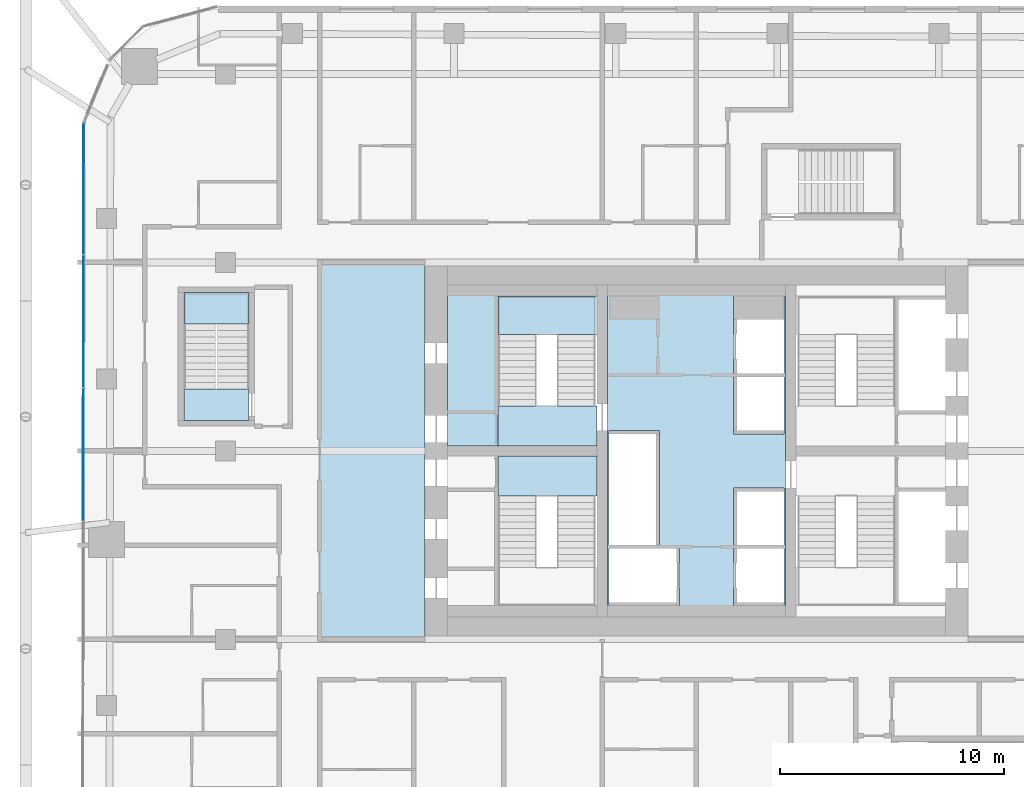
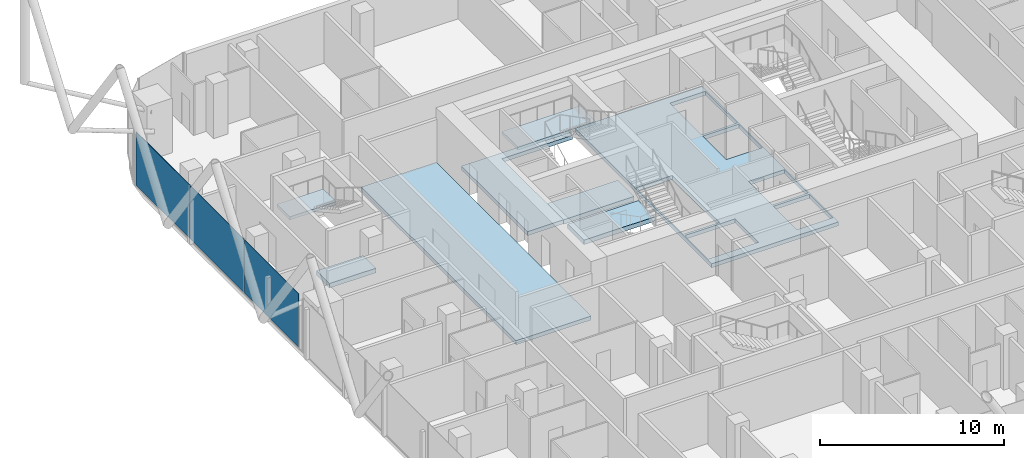
# One storey, part 24 of 36: 8 slabs, 3 plates, 3 elements without a shape of their own.
"""IFC4 building model written with IfcOpenShell, lengths in metres."""

from ifc_helpers import new_model, si_unit, direction, frame, origin, origin_2d, place, context, subcontext, project, spatial, polyline, rectangle, outline, extrude, material, layer, layer_set, type_object, element, aggregate, save


model = new_model("IFC4")

# Units and contexts
model_context = context("Model", 3, precision=1e-05, world=origin(), true_north=direction((0.0, 1.0)))
body_context = subcontext(model_context, "Body", "Model", "MODEL_VIEW")
ifc_project = project(units=[si_unit("LENGTHUNIT", "METRE"), si_unit("AREAUNIT", "SQUARE_METRE"), si_unit("VOLUMEUNIT", "CUBIC_METRE"), si_unit("PLANEANGLEUNIT", "RADIAN"), si_unit("MASSUNIT", "GRAM", prefix="KILO")], contexts=[model_context])

# Site, building, storey
site_placement = place(None, origin())
site = spatial("IfcSite", under=ifc_project, at=site_placement, CompositionType="ELEMENT")
building_placement = place(site_placement, origin())
building = spatial("IfcBuilding", under=site, at=building_placement, Name="Marenta Gate Hotel Tower", CompositionType="ELEMENT")
storey_placement = place(building_placement, frame((0.0, 0.0, 144.5)))
storey = spatial("IfcBuildingStorey", under=building, at=storey_placement, Name="L33", CompositionType="ELEMENT", Elevation=144.5)

# Slabs
ifc_material_1 = material(Name="Concrete C40", Category="concrete")
ifc_layer_1 = layer(ifc_material_1, 0.260009765625)
ifc_layer_set_1 = layer_set([ifc_layer_1], Name="Concrete C40")
slab_type_1 = type_object("IfcSlabType", Name="Core floor slab 260", PredefinedType="FLOOR", material=ifc_layer_set_1)
slab_1_placement = place(storey_placement, frame((0.0, 0.0, -0.260009765625)))
element("IfcSlab", 1, at=slab_1_placement, inside=storey, type_object=slab_type_1, Name="L33-CF-4", PredefinedType="FLOOR", context=body_context, shape_type="SweptSolid", body=[
    extrude(outline(polyline([(3.97509765625, 15.300048828125), (3.97509765625, 10.39990234375), (3.97509765625, 6.39990234375), (3.97509765625, 1.5), (3.97509765625, 1.0), (-3.97509765625, 1.0), (-3.97509765625, 1.5), (-3.97509765625, 6.39990234375), (-3.97509765625, 10.39990234375), (-3.97509765625, 15.300048828125), (-3.97509765625, 15.800048828125), (3.97509765625, 15.800048828125), (3.97509765625, 15.300048828125)]), holes=[polyline([(1.64990234375, 1.5), (3.89990234375, 1.5), (3.89990234375, 1.64990234375), (3.89990234375, 4.050048828125), (1.800048828125, 4.050048828125), (1.64990234375, 4.050048828125), (1.64990234375, 1.64990234375), (1.64990234375, 1.5)]), polyline([(1.64990234375, 6.60009765625), (1.64990234375, 4.199951171875), (1.800048828125, 4.199951171875), (3.89990234375, 4.199951171875), (3.89990234375, 6.60009765625), (3.89990234375, 6.75), (1.64990234375, 6.75), (1.64990234375, 6.60009765625)]), polyline([(1.64990234375, 9.14990234375), (3.89990234375, 9.14990234375), (3.89990234375, 9.300048828125), (3.89990234375, 11.699951171875), (1.800048828125, 11.699951171875), (1.64990234375, 11.699951171875), (1.64990234375, 9.300048828125), (1.64990234375, 9.14990234375)]), polyline([(1.64990234375, 15.300048828125), (1.64990234375, 14.25), (1.64990234375, 11.85009765625), (1.800048828125, 11.85009765625), (3.89990234375, 11.85009765625), (3.89990234375, 14.25), (3.89990234375, 15.300048828125), (1.64990234375, 15.300048828125)]), polyline([(-3.89990234375, 4.050048828125), (-3.89990234375, 1.64990234375), (-3.89990234375, 1.5), (-0.89990234375, 1.5), (-0.75, 1.5), (-0.75, 4.050048828125), (-0.89990234375, 4.050048828125), (-3.89990234375, 4.050048828125)]), polyline([(-1.800048828125, 4.199951171875), (-1.64990234375, 4.199951171875), (-1.64990234375, 9.14990234375), (-1.64990234375, 9.300048828125), (-3.89990234375, 9.300048828125), (-3.89990234375, 9.14990234375), (-3.89990234375, 6.75), (-3.89990234375, 6.60009765625), (-3.89990234375, 4.199951171875), (-1.800048828125, 4.199951171875)])]), origin(), (0.0, 0.0, 1.0), 0.260009765625),
])
slab_2_placement = place(storey_placement, frame((0.0, 0.0, -0.260009765625)))
element("IfcSlab", 2, at=slab_2_placement, inside=storey, type_object=slab_type_1, Name="L33-CF-6", PredefinedType="FLOOR", context=body_context, shape_type="SweptSolid", body=[
    extrude(outline(polyline([(-4.425048828125, 15.300048828125), (-8.85009765625, 15.300048828125), (-8.85009765625, 10.39990234375), (-8.85009765625, 8.699951171875), (-8.85009765625, 8.625), (-11.10009765625, 8.625), (-11.10009765625, 15.800048828125), (-4.425048828125, 15.800048828125), (-4.425048828125, 15.300048828125)])), origin(), (0.0, 0.0, 1.0), 0.260009765625),
])
slab_3_placement = place(storey_placement, frame((0.0, 0.0, -0.260009765625)))
element("IfcSlab", 3, at=slab_3_placement, inside=storey, type_object=slab_type_1, Name="L33-CF-7", PredefinedType="FLOOR", context=body_context, shape_type="SweptSolid", body=[
    extrude(outline(polyline([(-12.10009765625, 16.800048828125), (-12.10009765625, 0.0), (-16.800048828125, 0.0), (-16.800048828125, 16.800048828125), (-12.10009765625, 16.800048828125)])), origin(), (0.0, 0.0, 1.0), 0.260009765625),
])

# Stair, slab
ifc_material_2 = material(Name="Concrete C40", Category="concrete")
stair_type_1 = type_object("IfcStairType", Name="Core exit stair 1700 wide", PredefinedType="HALF_TURN_STAIR", material=ifc_material_2)
stair_1_placement = place(storey_placement, origin())
stair_1 = element("IfcStair", 4, at=stair_1_placement, inside=storey, type_object=stair_type_1, Name="Exit stair 2", PredefinedType="HALF_TURN_STAIR")
ifc_material_3 = material(Name="Concrete C40", Category="concrete")
ifc_layer_2 = layer(ifc_material_3, 0.199951171875)
ifc_layer_set_2 = layer_set([ifc_layer_2], Name="Concrete C40")
slab_type_2 = type_object("IfcSlabType", Name="Core stair landing 200", PredefinedType="LANDING", material=ifc_layer_set_2)
slab_4_placement = place(storey_placement, frame((0.0, 0.0, 1.60009765625)))
slab_4 = element("IfcSlab", 5, at=slab_4_placement, type_object=slab_type_2, Name="SL-200 ST2 landing 1", PredefinedType="LANDING", context=body_context, shape_type="SweptSolid", body=[
    extrude(outline(polyline([(-8.85009765625, 13.590087890625), (-3.97509765625, 13.590087890625), (-3.97509765625, 15.300048828125), (-8.85009765625, 15.300048828125), (-8.85009765625, 13.590087890625)])), origin(), (0.0, 0.0, 1.0), 0.199951171875),
])
aggregate(stair_1, [slab_4])

# Curtain wall, plates
ifc_material_4 = material(Name="Tinted insulated glass in bronze anodised frame", Category="glass")
ifc_layer_3 = layer(ifc_material_4, 0.1201171875)
ifc_layer_set_3 = layer_set([ifc_layer_3], Name="Tinted insulated glass in bronze anodised frame")
curtain_wall_type = type_object("IfcCurtainWallType", Name="Tower unitised curtain wall CW1", PredefinedType="NOTDEFINED", material=ifc_layer_set_3)
curtain_wall_placement = place(storey_placement, origin())
curtain_wall = element("IfcCurtainWall", 6, at=curtain_wall_placement, inside=storey, type_object=curtain_wall_type, Name="CW1 run G06", PredefinedType="NOTDEFINED")
ifc_material_5 = material(Name="Tinted insulated glass", Category="glass")
ifc_layer_4 = layer(ifc_material_5, 0.028076171875)
ifc_layer_set_4 = layer_set([ifc_layer_4], Name="Tinted insulated glass")
plate_type = type_object("IfcPlateType", Name="Glass panel CW1 28 mm tinted insulated unit", PredefinedType="CURTAIN_PANEL", material=ifc_layer_set_4)
plate_1_placement = place(storey_placement, frame((-27.31689453125, 20.0888671875, 0.06005859375), z_axis=(0.0, 0.0, 1.0), x_axis=(-0.001569680138, -0.999998768051, 0.0)))
plate_1 = element("IfcPlate", 7, at=plate_1_placement, type_object=plate_type, Name="CW1 panel 1.1", PredefinedType="CURTAIN_PANEL", context=body_context, shape_type="SweptSolid", body=[
    extrude(rectangle(XDim=5.834716796875, YDim=0.028076171875, at=origin_2d()), origin(), (0.0, 0.0, 1.0), 3.5400390625),
])
plate_2_placement = place(storey_placement, frame((-27.326171875, 14.178955078125, 0.06005859375), z_axis=(0.0, 0.0, 1.0), x_axis=(-0.001569680138, -0.999998768051, 0.0)))
plate_2 = element("IfcPlate", 8, at=plate_2_placement, type_object=plate_type, Name="CW1 panel 2.1", PredefinedType="CURTAIN_PANEL", context=body_context, shape_type="SweptSolid", body=[
    extrude(rectangle(XDim=5.86474609375, YDim=0.028076171875, at=origin_2d()), origin(), (0.0, 0.0, 1.0), 3.5400390625),
])
plate_3_placement = place(storey_placement, frame((-27.335693359375, 8.2392578125, 0.06005859375), z_axis=(0.0, 0.0, 1.0), x_axis=(-0.001569680138, -0.999998768051, 0.0)))
plate_3 = element("IfcPlate", 9, at=plate_3_placement, type_object=plate_type, Name="CW1 panel 3.1", PredefinedType="CURTAIN_PANEL", context=body_context, shape_type="SweptSolid", body=[
    extrude(rectangle(XDim=5.894775390625, YDim=0.028076171875, at=origin_2d()), origin(), (0.0, 0.0, 1.0), 3.5400390625),
])
aggregate(curtain_wall, [plate_1, plate_2, plate_3])

# Stair, slab
ifc_material_6 = material(Name="Concrete C40", Category="concrete")
stair_type_2 = type_object("IfcStairType", Name="Remote exit stair 1400 wide", PredefinedType="HALF_TURN_STAIR", material=ifc_material_6)
stair_2_placement = place(storey_placement, origin())
stair_2 = element("IfcStair", 10, at=stair_2_placement, inside=storey, type_object=stair_type_2, Name="Exit stair RS-Z1-3", PredefinedType="HALF_TURN_STAIR")
ifc_material_7 = material(Name="Concrete C40", Category="concrete")
ifc_layer_5 = layer(ifc_material_7, 0.199951171875)
ifc_layer_set_5 = layer_set([ifc_layer_5], Name="Concrete C40")
slab_type_3 = type_object("IfcSlabType", Name="Remote stair landing 200", PredefinedType="LANDING", material=ifc_layer_set_5)
slab_5_placement = place(storey_placement, frame((0.0, 0.0, 1.60009765625)))
slab_5 = element("IfcSlab", 11, at=slab_5_placement, type_object=slab_type_3, Name="RL-200 RS-Z1-3 landing 1", PredefinedType="LANDING", context=body_context, shape_type="SweptSolid", body=[
    extrude(outline(polyline([(-22.85009765625, 14.050048828125), (-19.949951171875, 14.050048828125), (-19.949951171875, 15.449951171875), (-22.85009765625, 15.449951171875), (-22.85009765625, 14.050048828125)])), origin(), (0.0, 0.0, 1.0), 0.199951171875),
])
aggregate(stair_2, [slab_5])

# Slabs
ifc_material_8 = material(Name="Concrete C40", Category="concrete")
ifc_layer_6 = layer(ifc_material_8, 0.300048828125)
ifc_layer_set_6 = layer_set([ifc_layer_6], Name="Concrete C40")
slab_type_4 = type_object("IfcSlabType", Name="Stair floor landing slab 300", PredefinedType="FLOOR", material=ifc_layer_set_6)
slab_6_placement = place(storey_placement, frame((0.0, 0.0, -0.300048828125)))
element("IfcSlab", 12, at=slab_6_placement, inside=storey, type_object=slab_type_4, Name="L33-CL-ST1-1", PredefinedType="FLOOR", context=body_context, shape_type="SweptSolid", body=[
    extrude(outline(polyline([(-4.425048828125, 6.39990234375), (-8.85009765625, 6.39990234375), (-8.85009765625, 8.10009765625), (-8.85009765625, 8.175048828125), (-4.425048828125, 8.175048828125), (-4.425048828125, 6.39990234375)])), origin(), (0.0, 0.0, 1.0), 0.300048828125),
])
slab_7_placement = place(storey_placement, frame((0.0, 0.0, -0.300048828125)))
element("IfcSlab", 13, at=slab_7_placement, inside=storey, type_object=slab_type_4, Name="L33-CL-ST2-1", PredefinedType="FLOOR", context=body_context, shape_type="SweptSolid", body=[
    extrude(outline(polyline([(-4.425048828125, 8.625), (-8.85009765625, 8.625), (-8.85009765625, 8.699951171875), (-8.85009765625, 10.39990234375), (-4.425048828125, 10.39990234375), (-4.425048828125, 8.625)])), origin(), (0.0, 0.0, 1.0), 0.300048828125),
])
slab_8_placement = place(storey_placement, frame((0.0, 0.0, -0.300048828125)))
element("IfcSlab", 14, at=slab_8_placement, inside=storey, type_object=slab_type_4, Name="L33-RS-Z1-3-CL", PredefinedType="FLOOR", context=body_context, shape_type="SweptSolid", body=[
    extrude(outline(polyline([(-19.949951171875, 9.75), (-19.949951171875, 11.14990234375), (-22.85009765625, 11.14990234375), (-22.85009765625, 9.75), (-19.949951171875, 9.75)])), origin(), (0.0, 0.0, 1.0), 0.300048828125),
])

save(model, "model.ifc")
